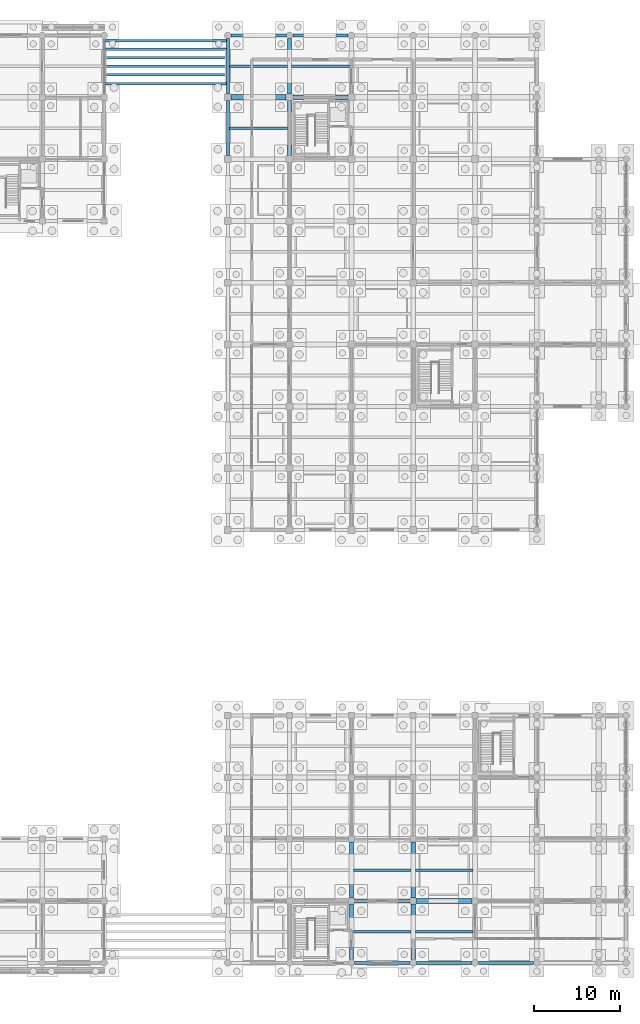
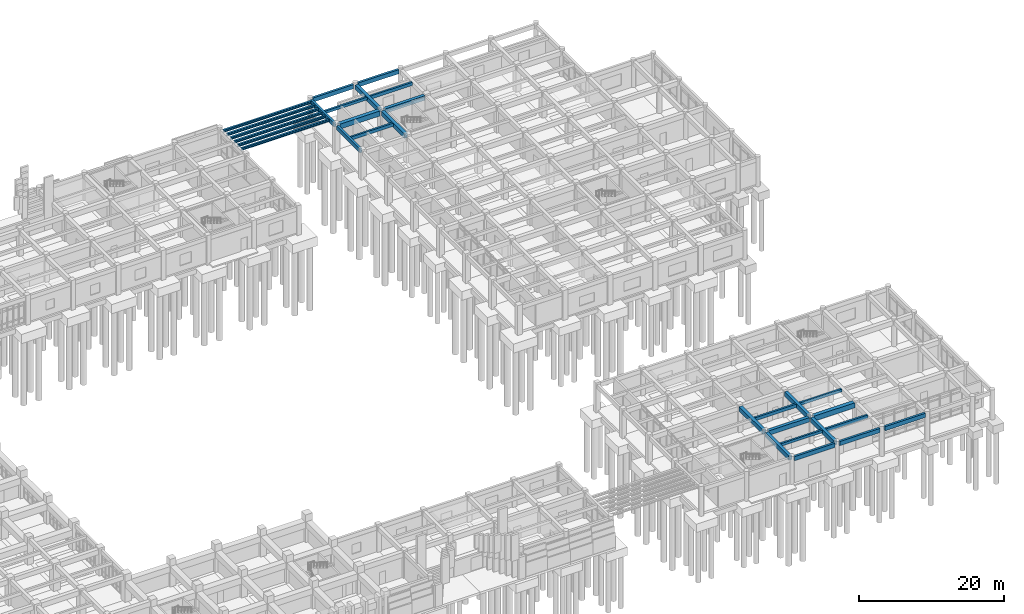
# One storey, part 34 of 79: 30 beams.
"""IFC4 building model written with IfcOpenShell, lengths in metres."""

from ifc_helpers import new_model, si_unit, direction, frame, origin, origin_2d, place, context, subcontext, project, spatial, rectangle, i_section, extrude, material, material_profile, profile_set, type_object, element, save


model = new_model("IFC4")

# Units and contexts
model_context = context("Model", 3, precision=1e-05, world=origin(), true_north=direction((0.0, 1.0)))
body_context = subcontext(model_context, "Body", "Model", "MODEL_VIEW")
ifc_project = project(units=[si_unit("LENGTHUNIT", "METRE"), si_unit("AREAUNIT", "SQUARE_METRE"), si_unit("VOLUMEUNIT", "CUBIC_METRE"), si_unit("PLANEANGLEUNIT", "RADIAN"), si_unit("MASSUNIT", "GRAM", prefix="KILO")], contexts=[model_context])

# Site, building, storey
site_placement = place(None, origin())
site = spatial("IfcSite", under=ifc_project, at=site_placement, CompositionType="ELEMENT")
building_placement = place(site_placement, origin())
building = spatial("IfcBuilding", under=site, at=building_placement, Name="Kavelor Marine Aquarium", CompositionType="ELEMENT")
storey_placement = place(building_placement, origin())
storey = spatial("IfcBuildingStorey", under=building, at=storey_placement, Name="L00", CompositionType="ELEMENT", Elevation=0.0)

# Beams
ifc_material_1 = material(Name="Concrete C40/50", Category="concrete")
ifc_material_profile_1 = material_profile(ifc_material_1, rectangle(XDim=0.60009765625, YDim=0.85009765625, at=origin_2d()), Name="RC-BM 600x850")
ifc_profile_set_1 = profile_set([ifc_material_profile_1], Name="Concrete C40/50")
beam_type_1 = type_object("IfcBeamType", Name="BM-B1", PredefinedType="BEAM", material=ifc_profile_set_1)
beam_1_placement = place(storey_placement, frame((118.800048828125, 103.60009765625, 3.955078125), z_axis=(1.0, 0.0, 0.0), x_axis=(0.0, 1.0, 0.0)))
element("IfcBeam", 1, at=beam_1_placement, inside=storey, type_object=beam_type_1, Name="bm:x:L00:L01:16_14", PredefinedType="BEAM", context=body_context, shape_type="SweptSolid", body=[
    extrude(rectangle(XDim=0.60009765625, YDim=0.85009765625, at=origin_2d()), origin(), (0.0, 0.0, 1.0), 6.39990234375),
])
beam_2_placement = place(storey_placement, frame((140.35009765625, 10.0, 3.955078125), z_axis=(1.0, 0.0, 0.0), x_axis=(0.0, 1.0, 0.0)))
element("IfcBeam", 2, at=beam_2_placement, inside=storey, type_object=beam_type_1, Name="bm:x:L00:L01:19_01", PredefinedType="BEAM", context=body_context, shape_type="SweptSolid", body=[
    extrude(rectangle(XDim=0.60009765625, YDim=0.85009765625, at=origin_2d()), origin(), (0.0, 0.0, 1.0), 6.5),
])
ifc_material_2 = material(Name="Concrete C40/50", Category="concrete")
ifc_material_profile_2 = material_profile(ifc_material_2, rectangle(XDim=0.5, YDim=0.75, at=origin_2d()), Name="RC-BM 500x750")
ifc_profile_set_2 = profile_set([ifc_material_profile_2], Name="Concrete C40/50")
beam_type_2 = type_object("IfcBeamType", Name="BM-B2", PredefinedType="BEAM", material=ifc_profile_set_2)
beam_3_placement = place(storey_placement, frame((126.0, 103.60009765625, 4.0048828125), z_axis=(1.0, 0.0, 0.0), x_axis=(0.0, 1.0, 0.0)))
element("IfcBeam", 3, at=beam_3_placement, inside=storey, type_object=beam_type_2, Name="bm:x:L00:L01:17_14", PredefinedType="BEAM", context=body_context, shape_type="SweptSolid", body=[
    extrude(rectangle(XDim=0.5, YDim=0.75, at=origin_2d()), origin(), (0.0, 0.0, 1.0), 6.39990234375),
])
beam_4_placement = place(storey_placement, frame((133.14990234375, 10.0, 4.0048828125), z_axis=(1.0, 0.0, 0.0), x_axis=(0.0, 1.0, 0.0)))
element("IfcBeam", 4, at=beam_4_placement, inside=storey, type_object=beam_type_2, Name="bm:x:L00:L01:18_01", PredefinedType="BEAM", context=body_context, shape_type="SweptSolid", body=[
    extrude(rectangle(XDim=0.5, YDim=0.75, at=origin_2d()), origin(), (0.0, 0.0, 1.0), 6.5),
])
beam_5_placement = place(storey_placement, frame((125.60009765625, 96.800048828125, 4.0048828125), z_axis=(0.0, 1.0, 0.0), x_axis=(-1.0, 0.0, 0.0)))
element("IfcBeam", 5, at=beam_5_placement, inside=storey, type_object=beam_type_2, Name="bm:y:L00:L01:17_13", PredefinedType="BEAM", context=body_context, shape_type="SweptSolid", body=[
    extrude(rectangle(XDim=0.5, YDim=0.75, at=origin_2d()), origin(), (0.0, 0.0, 1.0), 6.39990234375),
])
beam_6_placement = place(storey_placement, frame((125.60009765625, 104.0, 4.0048828125), z_axis=(0.0, 1.0, 0.0), x_axis=(-1.0, 0.0, 0.0)))
element("IfcBeam", 6, at=beam_6_placement, inside=storey, type_object=beam_type_2, Name="bm:y:L00:L01:17_14", PredefinedType="BEAM", context=body_context, shape_type="SweptSolid", body=[
    extrude(rectangle(XDim=0.5, YDim=0.75, at=origin_2d()), origin(), (0.0, 0.0, 1.0), 6.425048828125),
])
beam_7_placement = place(storey_placement, frame((132.800048828125, 3.175048828125, 4.0048828125), z_axis=(0.0, 1.0, 0.0), x_axis=(-1.0, 0.0, 0.0)))
element("IfcBeam", 7, at=beam_7_placement, inside=storey, type_object=beam_type_2, Name="bm:y:L00:L01:18_00", PredefinedType="BEAM", context=body_context, shape_type="SweptSolid", body=[
    extrude(rectangle(XDim=0.5, YDim=0.75, at=origin_2d()), origin(), (0.0, 0.0, 1.0), 6.474853515625),
])
beam_8_placement = place(storey_placement, frame((132.800048828125, 10.35009765625, 4.0048828125), z_axis=(0.0, 1.0, 0.0), x_axis=(-1.0, 0.0, 0.0)))
element("IfcBeam", 8, at=beam_8_placement, inside=storey, type_object=beam_type_2, Name="bm:y:L00:L01:18_01", PredefinedType="BEAM", context=body_context, shape_type="SweptSolid", body=[
    extrude(rectangle(XDim=0.5, YDim=0.75, at=origin_2d()), origin(), (0.0, 0.0, 1.0), 6.5),
])
beam_9_placement = place(storey_placement, frame((140.0, 3.175048828125, 4.0048828125), z_axis=(0.0, 1.0, 0.0), x_axis=(-1.0, 0.0, 0.0)))
element("IfcBeam", 9, at=beam_9_placement, inside=storey, type_object=beam_type_2, Name="bm:y:L00:L01:19_00", PredefinedType="BEAM", context=body_context, shape_type="SweptSolid", body=[
    extrude(rectangle(XDim=0.5, YDim=0.75, at=origin_2d()), origin(), (0.0, 0.0, 1.0), 6.474853515625),
])
beam_10_placement = place(storey_placement, frame((140.0, 10.35009765625, 4.0048828125), z_axis=(0.0, 1.0, 0.0), x_axis=(-1.0, 0.0, 0.0)))
element("IfcBeam", 10, at=beam_10_placement, inside=storey, type_object=beam_type_2, Name="bm:y:L00:L01:19_01", PredefinedType="BEAM", context=body_context, shape_type="SweptSolid", body=[
    extrude(rectangle(XDim=0.5, YDim=0.75, at=origin_2d()), origin(), (0.0, 0.0, 1.0), 6.5),
])
ifc_material_3 = material(Name="Concrete C40/50", Category="concrete")
ifc_material_profile_3 = material_profile(ifc_material_3, rectangle(XDim=0.300048828125, YDim=0.449951171875, at=origin_2d()), Name="RC-JS 300x450")
ifc_profile_set_3 = profile_set([ifc_material_profile_3], Name="Concrete C40/50")
beam_type_3 = type_object("IfcBeamType", Name="BM-JS1", PredefinedType="JOIST", material=ifc_profile_set_3)
beam_11_placement = place(storey_placement, frame((118.574951171875, 107.199951171875, 4.155029296875), z_axis=(1.0, 0.0, 0.0), x_axis=(0.0, 1.0, 0.0)))
element("IfcBeam", 11, at=beam_11_placement, inside=storey, type_object=beam_type_3, Name="js:L00:L01:16_14", PredefinedType="JOIST", context=body_context, shape_type="SweptSolid", body=[
    extrude(rectangle(XDim=0.300048828125, YDim=0.449951171875, at=origin_2d()), origin(), (0.0, 0.0, 1.0), 6.775146484375),
])
for number, where, z_axis, x_axis, name in (
    (12, (133.050048828125, 6.39990234375, 4.155029296875), (1.0, 0.0, 0.0), (0.0, 1.0, 0.0), "js:L00:L01:18_00"),
    (13, (140.25, 13.60009765625, 4.155029296875), (1.0, 0.0, 0.0), (0.0, 1.0, 0.0), "js:L00:L01:19_01"),
):
    element("IfcBeam", number, at=place(storey_placement, frame(where, z_axis=z_axis, x_axis=x_axis)), inside=storey, type_object=beam_type_3, Name=name, PredefinedType="JOIST", context=body_context, shape_type="SweptSolid", body=[
        extrude(rectangle(XDim=0.300048828125, YDim=0.449951171875, at=origin_2d()), origin(), (0.0, 0.0, 1.0), 6.699951171875),
    ])
ifc_material_4 = material(Name="Concrete C40/50", Category="concrete")
ifc_material_profile_4 = material_profile(ifc_material_4, rectangle(XDim=0.300048828125, YDim=0.550048828125, at=origin_2d()), Name="RC-JS 300x550")
ifc_profile_set_4 = profile_set([ifc_material_profile_4], Name="Concrete C40/50")
beam_type_4 = type_object("IfcBeamType", Name="BM-JS2", PredefinedType="JOIST", material=ifc_profile_set_4)
beam_12_placement = place(storey_placement, frame((118.574951171875, 100.0, 4.10498046875), z_axis=(1.0, 0.0, 0.0), x_axis=(0.0, 1.0, 0.0)))
element("IfcBeam", 14, at=beam_12_placement, inside=storey, type_object=beam_type_4, Name="js:L00:L01:16_13", PredefinedType="JOIST", context=body_context, shape_type="SweptSolid", body=[
    extrude(rectangle(XDim=0.300048828125, YDim=0.550048828125, at=origin_2d()), origin(), (0.0, 0.0, 1.0), 6.775146484375),
])
for number, where, z_axis, x_axis, name in (
    (15, (125.85009765625, 107.199951171875, 4.10498046875), (1.0, 0.0, 0.0), (0.0, 1.0, 0.0), "js:L00:L01:17_14"),
    (16, (133.050048828125, 13.60009765625, 4.10498046875), (1.0, 0.0, 0.0), (0.0, 1.0, 0.0), "js:L00:L01:18_01"),
    (17, (140.25, 6.39990234375, 4.10498046875), (1.0, 0.0, 0.0), (0.0, 1.0, 0.0), "js:L00:L01:19_00"),
):
    element("IfcBeam", number, at=place(storey_placement, frame(where, z_axis=z_axis, x_axis=x_axis)), inside=storey, type_object=beam_type_4, Name=name, PredefinedType="JOIST", context=body_context, shape_type="SweptSolid", body=[
        extrude(rectangle(XDim=0.300048828125, YDim=0.550048828125, at=origin_2d()), origin(), (0.0, 0.0, 1.0), 6.699951171875),
    ])
ifc_material_5 = material(Name="Steel S355", Category="steel")
ifc_material_profile_5 = material_profile(ifc_material_5, i_section(OverallWidth=0.300048828125, OverallDepth=0.39990234375, WebThickness=0.013427734375, FlangeThickness=0.02392578125, FilletRadius=0.027099609375, at=origin_2d()), Name="HEB 400")
ifc_profile_set_5 = profile_set([ifc_material_profile_5], Name="Steel S355")
beam_type_5 = type_object("IfcBeamType", Name="BM-SB4", PredefinedType="BEAM", material=ifc_profile_set_5)
for number, where, z_axis, x_axis, name in (
    (18, (104.175048828125, 110.199951171875, 4.179931640625), (1.0, 0.0, 0.0), (0.0, 1.0, 0.0), "bm:portal:north:1"),
    (19, (104.175048828125, 109.199951171875, 4.179931640625), (1.0, 0.0, 0.0), (0.0, 1.0, 0.0), "bm:portal:north:2"),
    (20, (104.175048828125, 108.199951171875, 4.179931640625), (1.0, 0.0, 0.0), (0.0, 1.0, 0.0), "bm:portal:north:3"),
    (21, (104.175048828125, 107.199951171875, 4.179931640625), (1.0, 0.0, 0.0), (0.0, 1.0, 0.0), "bm:portal:north:4"),
    (22, (104.175048828125, 106.199951171875, 4.179931640625), (1.0, 0.0, 0.0), (0.0, 1.0, 0.0), "bm:portal:north:5"),
    (23, (104.175048828125, 105.199951171875, 4.179931640625), (1.0, 0.0, 0.0), (0.0, 1.0, 0.0), "bm:portal:north:6"),
):
    element("IfcBeam", number, at=place(storey_placement, frame(where, z_axis=z_axis, x_axis=x_axis)), inside=storey, type_object=beam_type_5, Name=name, PredefinedType="BEAM", context=body_context, shape_type="SweptSolid", body=[
        extrude(i_section(OverallWidth=0.300048828125, OverallDepth=0.39990234375, WebThickness=0.013427734375, FlangeThickness=0.02392578125, FilletRadius=0.027099609375, at=origin_2d()), origin(), (0.0, 0.0, 1.0), 14.050048828125),
    ])
ifc_material_6 = material(Name="Concrete C40/50", Category="concrete")
ifc_material_profile_6 = material_profile(ifc_material_6, rectangle(XDim=0.35009765625, YDim=0.699951171875, at=origin_2d()), Name="RC-SP 350x700")
ifc_profile_set_6 = profile_set([ifc_material_profile_6], Name="Concrete C40/50")
beam_type_6 = type_object("IfcBeamType", Name="BM-SP1", PredefinedType="SPANDREL", material=ifc_profile_set_6)
beam_13_placement = place(storey_placement, frame((118.77490234375, 110.800048828125, 4.030029296875), z_axis=(1.0, 0.0, 0.0), x_axis=(0.0, 1.0, 0.0)))
element("IfcBeam", 24, at=beam_13_placement, inside=storey, type_object=beam_type_6, Name="bm:x:L00:L01:16_15", PredefinedType="SPANDREL", context=body_context, shape_type="SweptSolid", body=[
    extrude(rectangle(XDim=0.35009765625, YDim=0.699951171875, at=origin_2d()), origin(), (0.0, 0.0, 1.0), 6.4501953125),
])
for number, where, z_axis, x_axis, name in (
    (25, (125.97509765625, 110.800048828125, 4.030029296875), (1.0, 0.0, 0.0), (0.0, 1.0, 0.0), "bm:x:L00:L01:17_15"),
    (26, (133.175048828125, 2.800048828125, 4.030029296875), (1.0, 0.0, 0.0), (0.0, 1.0, 0.0), "bm:x:L00:L01:18_00"),
    (27, (140.375, 2.800048828125, 4.030029296875), (1.0, 0.0, 0.0), (0.0, 1.0, 0.0), "bm:x:L00:L01:19_00"),
    (28, (147.574951171875, 2.800048828125, 4.030029296875), (1.0, 0.0, 0.0), (0.0, 1.0, 0.0), "bm:x:L00:L01:20_00"),
):
    element("IfcBeam", number, at=place(storey_placement, frame(where, z_axis=z_axis, x_axis=x_axis)), inside=storey, type_object=beam_type_6, Name=name, PredefinedType="SPANDREL", context=body_context, shape_type="SweptSolid", body=[
        extrude(rectangle(XDim=0.35009765625, YDim=0.699951171875, at=origin_2d()), origin(), (0.0, 0.0, 1.0), 6.449951171875),
    ])
beam_14_placement = place(storey_placement, frame((118.39990234375, 96.800048828125, 4.030029296875), z_axis=(0.0, 1.0, 0.0), x_axis=(-1.0, 0.0, 0.0)))
element("IfcBeam", 29, at=beam_14_placement, inside=storey, type_object=beam_type_6, Name="bm:y:L00:L01:16_13", PredefinedType="SPANDREL", context=body_context, shape_type="SweptSolid", body=[
    extrude(rectangle(XDim=0.35009765625, YDim=0.699951171875, at=origin_2d()), origin(), (0.0, 0.0, 1.0), 6.39990234375),
])
beam_15_placement = place(storey_placement, frame((118.39990234375, 104.0, 4.030029296875), z_axis=(0.0, 1.0, 0.0), x_axis=(-1.0, 0.0, 0.0)))
element("IfcBeam", 30, at=beam_15_placement, inside=storey, type_object=beam_type_6, Name="bm:y:L00:L01:16_14", PredefinedType="SPANDREL", context=body_context, shape_type="SweptSolid", body=[
    extrude(rectangle(XDim=0.35009765625, YDim=0.699951171875, at=origin_2d()), origin(), (0.0, 0.0, 1.0), 6.425048828125),
])

save(model, "model.ifc")
